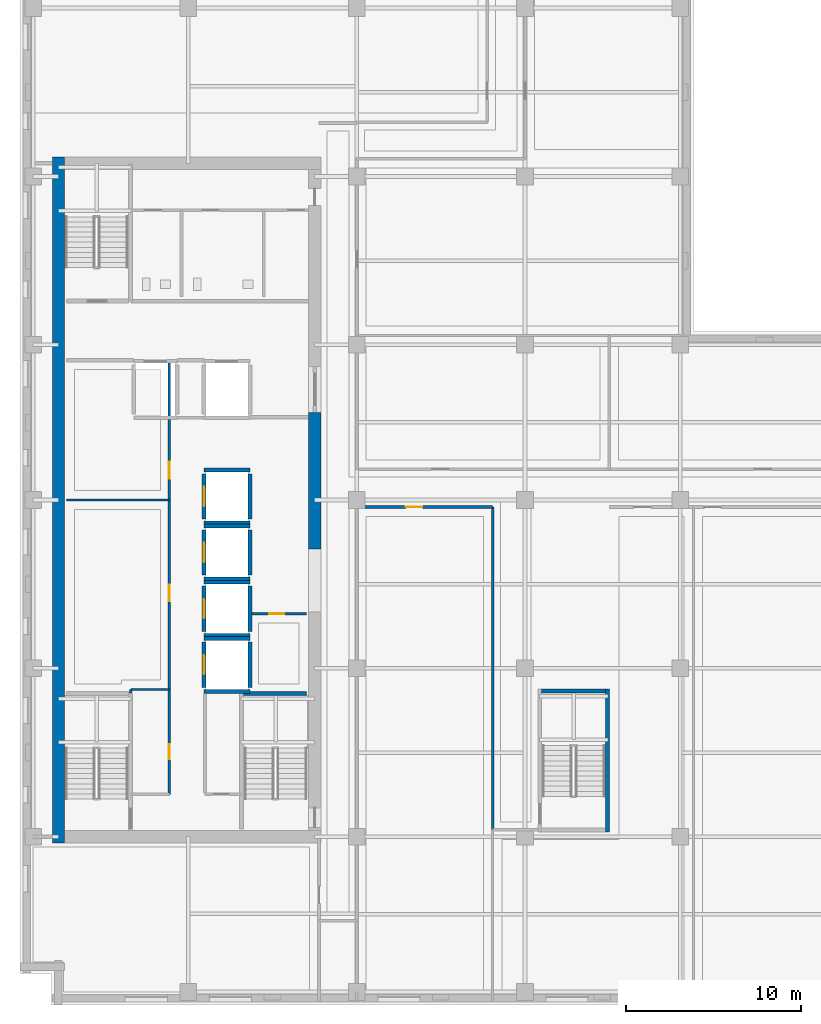
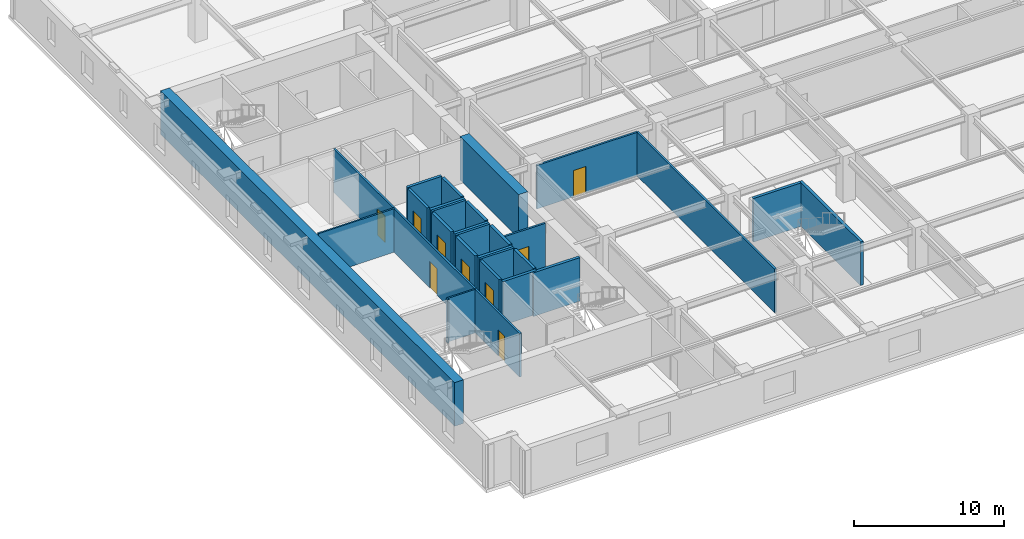
# One storey, part 4 of 12: 28 walls, 9 doors, 9 openings.
"""IFC4 building model written with IfcOpenShell, lengths in metres."""

import ifcopenshell
import ifcopenshell.guid

model = None  # the IFC model being written
_history = None  # IfcOwnerHistory: only IFC2X3 demands one
_inside = {}  # id of a spatial element -> (the spatial element, [elements in it])
_under = {}  # id of a project, library or spatial element -> (it, [spatial elements below it])
_declared = {}  # id of a project -> (the project, [libraries it declares])
_typed = {}  # id of a type object -> (the type object, [elements of that type])
_made_of = {}  # id of a material, layer set ... -> (it, [elements and type objects made of it])


def new_model(schema):
    """Start an empty IFC model of exactly this schema.

    Asked for "IFC4X3", IfcOpenShell would pick the latest addendum, in which some entities
    have other attributes; the version numbers below select the first issue.
    IFC2X3 requires an IfcOwnerHistory on every rooted entity: one is made here for all.
    """
    global model, _history
    if schema == "IFC4X3":
        model = ifcopenshell.file(schema_version=(4, 3, 0, 0))
    else:
        model = ifcopenshell.file(schema=schema)
    _inside.clear()
    _under.clear()
    _declared.clear()
    _typed.clear()
    _made_of.clear()
    _history = None
    if model.schema == "IFC2X3":
        org = make("IfcOrganization", Name="unknown")
        user = make(
            "IfcPersonAndOrganization",
            ThePerson=make("IfcPerson", FamilyName="unknown"),
            TheOrganization=org,
        )
        app = make(
            "IfcApplication",
            ApplicationDeveloper=org,
            Version="unknown",
            ApplicationFullName="unknown",
            ApplicationIdentifier="unknown",
        )
        _history = make(
            "IfcOwnerHistory",
            OwningUser=user,
            OwningApplication=app,
            ChangeAction="ADDED",
            CreationDate=0,
        )
    return model


def make(cls, **values):
    """One entity of the class cls with the attributes given. An attribute that is None is left unset."""
    return model.create_entity(
        cls, **{name: value for name, value in values.items() if value is not None}
    )


def rooted(cls, **values):
    """An entity with a GlobalId (a new one), such as an element, a storey or a relation."""
    return make(cls, GlobalId=ifcopenshell.guid.new(), OwnerHistory=_history, **values)


def si_unit(unit_type, name, prefix=None):
    """IfcSIUnit, for example si_unit("LENGTHUNIT", "METRE", prefix="MILLI")."""
    return make("IfcSIUnit", UnitType=unit_type, Prefix=prefix, Name=name)


def assignment(units):
    """IfcUnitAssignment: the units of a project."""
    return None if units is None else make("IfcUnitAssignment", Units=units)


def point(xyz):
    """IfcCartesianPoint."""
    return None if xyz is None else make("IfcCartesianPoint", Coordinates=xyz)


def direction(xyz):
    """IfcDirection."""
    return None if xyz is None else make("IfcDirection", DirectionRatios=xyz)


def frame(location, z_axis=None, x_axis=None):
    """IfcAxis2Placement3D, a coordinate frame: its origin and axes. An axis left out is left unset."""
    return make(
        "IfcAxis2Placement3D",
        Location=point(location),
        Axis=direction(z_axis),
        RefDirection=direction(x_axis),
    )


def frame_2d(location, x_axis=None):
    """IfcAxis2Placement2D, a coordinate frame in the plane: its origin and x axis."""
    return make(
        "IfcAxis2Placement2D", Location=point(location), RefDirection=direction(x_axis)
    )


def origin():
    """The frame at (0, 0, 0) with its axes left unset."""
    return frame((0.0, 0.0, 0.0))


def place(relative_to, where):
    """IfcLocalPlacement: puts the frame where relative to a parent placement (None: the world)."""
    return make(
        "IfcLocalPlacement", PlacementRelTo=relative_to, RelativePlacement=where
    )


def context(
    kind, dimensions, precision=None, world=None, true_north=None, identifier=None
):
    """IfcGeometricRepresentationContext, for example the 3D "Model" context."""
    return make(
        "IfcGeometricRepresentationContext",
        ContextIdentifier=identifier,
        ContextType=kind,
        CoordinateSpaceDimension=dimensions,
        Precision=precision,
        WorldCoordinateSystem=world,
        TrueNorth=true_north,
    )


def subcontext(parent, identifier, kind, view, scale=None):
    """IfcGeometricRepresentationSubContext, for example "Body" below "Model"."""
    return make(
        "IfcGeometricRepresentationSubContext",
        ContextIdentifier=identifier,
        ContextType=kind,
        ParentContext=parent,
        TargetScale=scale,
        TargetView=view,
    )


def project(units=None, contexts=None):
    """IfcProject with its units and contexts."""
    return rooted(
        "IfcProject",
        Name="project",
        RepresentationContexts=contexts,
        UnitsInContext=assignment(units),
    )


def spatial(cls, under=None, at=None, **own):
    """A site, building, storey or space (cls), placed at a placement, below another one or the project."""
    s = rooted(cls, ObjectPlacement=at, **own)
    if under is not None:
        _under.setdefault(under.id(), (under, []))[1].append(s)
    return s


def profile(cls, at=None, kind="AREA", **sizes):
    """A parametric profile (cls). Its sizes go by their IFC names, for example OverallWidth=200.0."""
    return make(cls, ProfileType=kind, Position=at, **sizes)


def rectangle(**sizes):
    """IfcRectangleProfileDef."""
    return profile("IfcRectangleProfileDef", **sizes)


def extrude(swept, where, along, depth):
    """IfcExtrudedAreaSolid: the profile swept, set in the frame where, extruded along a direction by depth."""
    return make(
        "IfcExtrudedAreaSolid",
        SweptArea=swept,
        Position=where,
        ExtrudedDirection=direction(along),
        Depth=depth,
    )


def shape(context_of_items, identifier, shape_type, items):
    """IfcShapeRepresentation: the items that make up one representation, for example the "Body"."""
    return make(
        "IfcShapeRepresentation",
        ContextOfItems=context_of_items,
        RepresentationIdentifier=identifier,
        RepresentationType=shape_type,
        Items=items,
    )


def material(Name=None, Category=None):
    """IfcMaterial."""
    return make("IfcMaterial", Name=Name, Category=Category)


def layer(
    of_material, thickness, ventilated=None, Name=None, Category=None, Priority=None
):
    """IfcMaterialLayer: one layer of a wall or slab, of a material (None: an air gap)."""
    return make(
        "IfcMaterialLayer",
        Material=of_material,
        LayerThickness=thickness,
        IsVentilated=ventilated,
        Name=Name,
        Category=Category,
        Priority=Priority,
    )


def layer_set(layers, Name=None):
    """IfcMaterialLayerSet."""
    return make("IfcMaterialLayerSet", MaterialLayers=layers, LayerSetName=Name)


def made_of(thing, what):
    """Note that an element or type object is made of a material, layer set ...; save() writes the relation."""
    if what is not None:
        _made_of.setdefault(what.id(), (what, []))[1].append(thing)
    return thing


def type_object(cls, material=None, **own):
    """A type object (cls), such as IfcWallType, which elements share."""
    return made_of(rooted(cls, **own), material)


def element(
    cls,
    number,
    at=None,
    inside=None,
    cuts=None,
    type_object=None,
    material=None,
    context=None,
    identifier="Body",
    shape_type=None,
    held_by="IfcProductDefinitionShape",
    body=None,
    shapes=None,
    **own,
):
    """One element of the class cls, such as IfcWall. Its Tag is "e" and its number.

    at: its placement. inside: the storey or other place that contains it. cuts: it is an
    opening in that element (IfcRelVoidsElement). A single representation is given by context,
    identifier, shape_type and body (its items); several are given by shapes. held_by: the class
    of the entity that holds the representations. save() writes the other relations.
    """
    e = rooted(cls, Tag="e%d" % number, ObjectPlacement=at, **own)
    if body is not None:
        shapes = [shape(context, identifier, shape_type, body)]
    if shapes is not None:
        e.Representation = make(held_by, Representations=shapes)
    if inside is not None:
        _inside.setdefault(inside.id(), (inside, []))[1].append(e)
    if cuts is not None:
        rooted(
            "IfcRelVoidsElement", RelatingBuildingElement=cuts, RelatedOpeningElement=e
        )
    if type_object is not None:
        _typed.setdefault(type_object.id(), (type_object, []))[1].append(e)
    return made_of(e, material)


def fill(opening, filler):
    """IfcRelFillsElement: the door or window that sits in an opening."""
    return rooted(
        "IfcRelFillsElement",
        RelatingOpeningElement=opening,
        RelatedBuildingElement=filler,
    )


def aggregate(whole, parts):
    """IfcRelAggregates: a whole, such as a stair, and the parts it consists of."""
    return rooted("IfcRelAggregates", RelatingObject=whole, RelatedObjects=parts)


def save(model, path):
    """Write the relations noted so far, then the file.

    IfcRelAggregates (storeys below a building ...), IfcRelContainedInSpatialStructure (elements
    in a storey), IfcRelDefinesByType, IfcRelAssociatesMaterial and IfcRelDeclares: one each for
    every whole, place, type object, material and project.
    """
    for whole, parts in _under.values():
        aggregate(whole, parts)
    for where, things in _inside.values():
        rooted(
            "IfcRelContainedInSpatialStructure",
            RelatedElements=things,
            RelatingStructure=where,
        )
    for kind, things in _typed.values():
        rooted("IfcRelDefinesByType", RelatedObjects=things, RelatingType=kind)
    for what, things in _made_of.values():
        rooted("IfcRelAssociatesMaterial", RelatedObjects=things, RelatingMaterial=what)
    for by, libraries in _declared.values():
        rooted("IfcRelDeclares", RelatingContext=by, RelatedDefinitions=libraries)
    model.write(path)


model = new_model("IFC4")

# Units and contexts
model_context = context("Model", 3, precision=1e-05, world=origin(), true_north=direction((0.0, 1.0)))
body_context = subcontext(model_context, "Body", "Model", "MODEL_VIEW")
ifc_project = project(units=[si_unit("LENGTHUNIT", "METRE"), si_unit("AREAUNIT", "SQUARE_METRE"), si_unit("VOLUMEUNIT", "CUBIC_METRE"), si_unit("PLANEANGLEUNIT", "RADIAN"), si_unit("MASSUNIT", "GRAM", prefix="KILO")], contexts=[model_context])

# Site, building, storey
site_placement = place(None, origin())
site = spatial("IfcSite", under=ifc_project, at=site_placement, CompositionType="ELEMENT")
building_placement = place(site_placement, origin())
building = spatial("IfcBuilding", under=site, at=building_placement, Name="Norrvale University Quadrangle", CompositionType="ELEMENT")
storey_placement = place(building_placement, frame((0.0, 0.0, 186.39990234375)))
storey = spatial("IfcBuildingStorey", under=building, at=storey_placement, Name="L47", CompositionType="ELEMENT", Elevation=186.39990234375)

# Walls
ifc_material_1 = material(Name="Concrete C60/75", Category="concrete")
ifc_layer_1 = layer(ifc_material_1, 0.699951171875, Name="Concrete C60/75")
ifc_layer_set_1 = layer_set([ifc_layer_1], Name="Concrete C60/75")
wall_type_1 = type_object("IfcWallType", Name="Wall Core 700", PredefinedType="SHEAR", material=ifc_layer_set_1)
wall_1_placement = place(storey_placement, frame((2.199951171875, 9.25, 0.0), z_axis=(0.0, 0.0, 1.0), x_axis=(0.0, 1.0, 0.0)))
element("IfcWall", 1, at=wall_1_placement, inside=storey, type_object=wall_type_1, Name="Tower Core Shear Wall L47-W", PredefinedType="SHEAR", context=body_context, shape_type="SweptSolid", body=[
    extrude(rectangle(XDim=39.10009765625, YDim=0.699951171875, at=frame_2d((19.550048828125, 0.0))), origin(), (0.0, 0.0, 1.0), 3.5400390625),
])
wall_2_placement = place(storey_placement, frame((16.800048828125, 26.0, 0.0), z_axis=(0.0, 0.0, 1.0), x_axis=(0.0, 1.0, 0.0)))
element("IfcWall", 2, at=wall_2_placement, inside=storey, type_object=wall_type_1, Name="Tower Core Shear Wall L47-E2", PredefinedType="SHEAR", context=body_context, shape_type="SweptSolid", body=[
    extrude(rectangle(XDim=7.800048828125, YDim=0.699951171875, at=frame_2d((3.89990234375, 0.0))), origin(), (0.0, 0.0, 1.0), 3.5400390625),
])
ifc_material_2 = material(Name="Standard Academic Gypsum Partition")
ifc_layer_2 = layer(ifc_material_2, 0.125, Name="Standard Academic Gypsum Partition")
ifc_layer_set_2 = layer_set([ifc_layer_2], Name="Standard Academic Gypsum Partition")
wall_type_2 = type_object("IfcWallType", Name="Wall Gypsum Academic 125", PredefinedType="PARTITIONING", material=ifc_layer_set_2)
wall_3_placement = place(storey_placement, frame((6.320068359375, 17.800048828125, 0.0), z_axis=(0.0, 0.0, 1.0), x_axis=(0.0, 1.0, 0.0)))
element("IfcWall", 3, at=wall_3_placement, inside=storey, type_object=wall_type_2, Name="Interior Partition WL-L47-REC-L1", PredefinedType="PARTITIONING", context=body_context, shape_type="SweptSolid", body=[
    extrude(rectangle(XDim=0.199951171875, YDim=0.125, at=frame_2d((0.10009765625, 0.0))), origin(), (0.0, 0.0, 1.0), 3.5400390625),
])
wall_4_placement = place(storey_placement, frame((6.320068359375, 18.0, 0.0), z_axis=(0.0, 0.0, 1.0), x_axis=(1.0, 0.0, 0.0)))
element("IfcWall", 4, at=wall_4_placement, inside=storey, type_object=wall_type_2, Name="Interior Partition WL-L47-REC-L2", PredefinedType="PARTITIONING", context=body_context, shape_type="SweptSolid", body=[
    extrude(rectangle(XDim=2.199951171875, YDim=0.125, at=frame_2d((1.10009765625, 0.0))), origin(), (0.0, 0.0, 1.0), 3.5400390625),
])
wall_5_placement = place(storey_placement, frame((2.64990234375, 28.800048828125, 0.0), z_axis=(0.0, 0.0, 1.0), x_axis=(1.0, 0.0, 0.0)))
element("IfcWall", 5, at=wall_5_placement, inside=storey, type_object=wall_type_2, Name="Interior Partition WL-L47-REC-M2", PredefinedType="PARTITIONING", context=body_context, shape_type="SweptSolid", body=[
    extrude(rectangle(XDim=5.8701171875, YDim=0.125, at=frame_2d((2.93505859375, 0.0))), origin(), (0.0, 0.0, 1.0), 3.5400390625),
])

# Wall, opening, door
ifc_material_3 = material(Name="Fire-Rated Gypsum Stud Partition")
ifc_layer_3 = layer(ifc_material_3, 0.14990234375, Name="Fire-Rated Gypsum Stud Partition")
ifc_layer_set_3 = layer_set([ifc_layer_3], Name="Fire-Rated Gypsum Stud Partition")
wall_type_3 = type_object("IfcWallType", Name="Wall Gypsum Corridor 150", PredefinedType="PARTITIONING", material=ifc_layer_set_3)
wall_6_placement = place(storey_placement, frame((13.22509765625, 22.320068359375, 0.0), z_axis=(0.0, 0.0, 1.0), x_axis=(1.0, 0.0, 0.0)))
wall_6 = element("IfcWall", 6, at=wall_6_placement, inside=storey, type_object=wall_type_3, Name="Interior Partition WL-L47-JAN-N", PredefinedType="PARTITIONING", context=body_context, shape_type="SweptSolid", body=[
    extrude(rectangle(XDim=3.119873046875, YDim=0.14990234375, at=frame_2d((1.56005859375, 0.0))), origin(), (0.0, 0.0, 1.0), 3.5400390625),
])
opening_1_placement = place(wall_6_placement, frame((1.0, 0.0, 0.0)))
opening_1 = element("IfcOpeningElement", 7, at=opening_1_placement, cuts=wall_6, Name="Opening D10", PredefinedType="OPENING", context=body_context, shape_type="SweptSolid", body=[
    extrude(rectangle(XDim=0.85009765625, YDim=2.10009765625, at=frame_2d((0.425048828125, 1.050048828125))), frame((0.0, 0.0869140625, 0.0), z_axis=(0.0, -1.0, 0.0), x_axis=(1.0, 0.0, 0.0)), (0.0, 0.0, 1.0), 0.173828125),
])
ifc_material_4 = material(Name="Hollow Steel 350W Riser Fire Door", Category="steel")
door_type_1 = type_object("IfcDoorType", Name="Door Riser 850x2100", OperationType="NOTDEFINED", PredefinedType="DOOR", material=ifc_material_4)
door_1_placement = place(opening_1_placement, origin())
door_1 = element("IfcDoor", 8, at=door_1_placement, inside=storey, type_object=door_type_1, Name="Door Riser 850x2100 DR-L47-JAN", OperationType="SINGLE_SWING_LEFT", OverallHeight=2.10009765625, OverallWidth=0.85009765625, PredefinedType="DOOR", context=body_context, shape_type="SweptSolid", body=[
    extrude(rectangle(XDim=0.85009765625, YDim=2.10009765625, at=frame_2d((0.425048828125, 1.050048828125))), frame((0.0, 0.02490234375, 0.0), z_axis=(0.0, -1.0, 0.0), x_axis=(1.0, 0.0, 0.0)), (0.0, 0.0, 1.0), 0.050048828125),
])
fill(opening_1, door_1)

# Wall, openings, doors
wall_7_placement = place(storey_placement, frame((8.52001953125, 12.02001953125, 0.0), z_axis=(0.0, 0.0, 1.0), x_axis=(0.0, 1.0, 0.0)))
wall_7 = element("IfcWall", 9, at=wall_7_placement, inside=storey, type_object=wall_type_3, Name="Interior Partition WL-L47-REC-E", PredefinedType="PARTITIONING", context=body_context, shape_type="SweptSolid", body=[
    extrude(rectangle(XDim=24.760009765625, YDim=0.14990234375, at=frame_2d((12.3798828125, 0.0))), origin(), (0.0, 0.0, 1.0), 3.5400390625),
])
opening_2_placement = place(wall_7_placement, frame((2.0, 0.0, 0.0)))
opening_2 = element("IfcOpeningElement", 10, at=opening_2_placement, cuts=wall_7, Name="Opening D10", PredefinedType="OPENING", context=body_context, shape_type="SweptSolid", body=[
    extrude(rectangle(XDim=0.85009765625, YDim=2.10009765625, at=frame_2d((0.425048828125, 1.050048828125))), frame((0.0, 0.0869140625, 0.0), z_axis=(0.0, -1.0, 0.0), x_axis=(1.0, 0.0, 0.0)), (0.0, 0.0, 1.0), 0.173828125),
])
opening_3_placement = place(wall_7_placement, frame((11.0, 0.0, 0.0)))
opening_3 = element("IfcOpeningElement", 11, at=opening_3_placement, cuts=wall_7, Name="Opening D07", PredefinedType="OPENING", context=body_context, shape_type="SweptSolid", body=[
    extrude(rectangle(XDim=0.949951171875, YDim=2.14990234375, at=frame_2d((0.47509765625, 1.074951171875))), frame((0.0, 0.0869140625, 0.0), z_axis=(0.0, -1.0, 0.0), x_axis=(1.0, 0.0, 0.0)), (0.0, 0.0, 1.0), 0.173828125),
])
opening_4_placement = place(wall_7_placement, frame((18.0, 0.0, 0.0)))
opening_4 = element("IfcOpeningElement", 12, at=opening_4_placement, cuts=wall_7, Name="Opening D07", PredefinedType="OPENING", context=body_context, shape_type="SweptSolid", body=[
    extrude(rectangle(XDim=0.949951171875, YDim=2.14990234375, at=frame_2d((0.47509765625, 1.074951171875))), frame((0.0, 0.0869140625, 0.0), z_axis=(0.0, -1.0, 0.0), x_axis=(1.0, 0.0, 0.0)), (0.0, 0.0, 1.0), 0.173828125),
])
ifc_material_5 = material(Name="Solid-Core Maple Door", Category="wood")
door_type_2 = type_object("IfcDoorType", Name="Door Office 950x2150", OperationType="NOTDEFINED", PredefinedType="DOOR", material=ifc_material_5)
door_2_placement = place(opening_3_placement, origin())
door_2 = element("IfcDoor", 13, at=door_2_placement, inside=storey, type_object=door_type_2, Name="Door Office 950x2150 DR-L47-REC2", OperationType="SINGLE_SWING_RIGHT", OverallHeight=2.14990234375, OverallWidth=0.949951171875, PredefinedType="DOOR", context=body_context, shape_type="SweptSolid", body=[
    extrude(rectangle(XDim=0.949951171875, YDim=2.14990234375, at=frame_2d((0.47509765625, 1.074951171875))), frame((0.0, 0.02490234375, 0.0), z_axis=(0.0, -1.0, 0.0), x_axis=(1.0, 0.0, 0.0)), (0.0, 0.0, 1.0), 0.050048828125),
])
fill(opening_3, door_2)
door_3_placement = place(opening_4_placement, origin())
door_3 = element("IfcDoor", 14, at=door_3_placement, inside=storey, type_object=door_type_2, Name="Door Office 950x2150 DR-L47-REC3", OperationType="SINGLE_SWING_LEFT", OverallHeight=2.14990234375, OverallWidth=0.949951171875, PredefinedType="DOOR", context=body_context, shape_type="SweptSolid", body=[
    extrude(rectangle(XDim=0.949951171875, YDim=2.14990234375, at=frame_2d((0.47509765625, 1.074951171875))), frame((0.0, 0.02490234375, 0.0), z_axis=(0.0, -1.0, 0.0), x_axis=(1.0, 0.0, 0.0)), (0.0, 0.0, 1.0), 0.050048828125),
])
fill(opening_4, door_3)
door_4_placement = place(opening_2_placement, origin())
door_4 = element("IfcDoor", 15, at=door_4_placement, inside=storey, type_object=door_type_1, Name="Door Riser 850x2100 DR-L47-REC1", OperationType="SINGLE_SWING_LEFT", OverallHeight=2.10009765625, OverallWidth=0.85009765625, PredefinedType="DOOR", context=body_context, shape_type="SweptSolid", body=[
    extrude(rectangle(XDim=0.85009765625, YDim=2.10009765625, at=frame_2d((0.425048828125, 1.050048828125))), frame((0.0, 0.02490234375, 0.0), z_axis=(0.0, -1.0, 0.0), x_axis=(1.0, 0.0, 0.0)), (0.0, 0.0, 1.0), 0.050048828125),
])
fill(opening_2, door_4)

# Wall, opening, door
wall_8_placement = place(storey_placement, frame((19.199951171875, 28.39990234375, 0.0), z_axis=(0.0, 0.0, 1.0), x_axis=(1.0, 0.0, 0.0)))
wall_8 = element("IfcWall", 16, at=wall_8_placement, inside=storey, type_object=wall_type_3, Name="Interior Partition WL-L47-SEW1", PredefinedType="PARTITIONING", context=body_context, shape_type="SweptSolid", body=[
    extrude(rectangle(XDim=7.75, YDim=0.14990234375, at=frame_2d((3.875, 0.0))), origin(), (0.0, 0.0, 1.0), 3.5400390625),
])
opening_5_placement = place(wall_8_placement, frame((2.800048828125, 0.0, 0.0)))
opening_5 = element("IfcOpeningElement", 17, at=opening_5_placement, cuts=wall_8, Name="Opening D07", PredefinedType="OPENING", context=body_context, shape_type="SweptSolid", body=[
    extrude(rectangle(XDim=0.949951171875, YDim=2.14990234375, at=frame_2d((0.47509765625, 1.074951171875))), frame((0.0, 0.0869140625, 0.0), z_axis=(0.0, -1.0, 0.0), x_axis=(1.0, 0.0, 0.0)), (0.0, 0.0, 1.0), 0.173828125),
])
door_5_placement = place(opening_5_placement, origin())
door_5 = element("IfcDoor", 18, at=door_5_placement, inside=storey, type_object=door_type_2, Name="Door Office 950x2150 DR-L47-SE1", OperationType="SINGLE_SWING_LEFT", OverallHeight=2.14990234375, OverallWidth=0.949951171875, PredefinedType="DOOR", context=body_context, shape_type="SweptSolid", body=[
    extrude(rectangle(XDim=0.949951171875, YDim=2.14990234375, at=frame_2d((0.47509765625, 1.074951171875))), frame((0.0, 0.02490234375, 0.0), z_axis=(0.0, -1.0, 0.0), x_axis=(1.0, 0.0, 0.0)), (0.0, 0.0, 1.0), 0.050048828125),
])
fill(opening_5, door_5)

# Walls
wall_9_placement = place(storey_placement, frame((26.949951171875, 10.0, 0.0), z_axis=(0.0, 0.0, 1.0), x_axis=(0.0, 1.0, 0.0)))
element("IfcWall", 19, at=wall_9_placement, inside=storey, type_object=wall_type_3, Name="Interior Partition WL-L47-SEP1B", PredefinedType="PARTITIONING", context=body_context, shape_type="SweptSolid", body=[
    extrude(rectangle(XDim=18.39990234375, YDim=0.14990234375, at=frame_2d((9.199951171875, 0.0))), origin(), (0.0, 0.0, 1.0), 3.5400390625),
])
ifc_material_6 = material(Name="Concrete Blockwork 20 MPa Fire Shaft", Category="masonry")
ifc_layer_4 = layer(ifc_material_6, 0.219970703125, Name="Concrete Blockwork 20 MPa Fire Shaft")
ifc_layer_set_4 = layer_set([ifc_layer_4], Name="Concrete Blockwork 20 MPa Fire Shaft")
wall_type_4 = type_object("IfcWallType", Name="Wall Shaft 220", PredefinedType="SOLIDWALL", material=ifc_layer_set_4)
wall_10_placement = place(storey_placement, frame((12.75, 17.760009765625, 0.0), z_axis=(0.0, 0.0, 1.0), x_axis=(1.0, 0.0, 0.0)))
element("IfcWall", 20, at=wall_10_placement, inside=storey, type_object=wall_type_4, Name="Stair ST-03 North Shaft Wall L47", PredefinedType="SOLIDWALL", context=body_context, shape_type="SweptSolid", body=[
    extrude(rectangle(XDim=3.60009765625, YDim=0.219970703125, at=frame_2d((1.800048828125, 0.0))), origin(), (0.0, 0.0, 1.0), 3.5400390625),
])
wall_11_placement = place(storey_placement, frame((33.510009765625, 9.8798828125, 0.0), z_axis=(0.0, 0.0, 1.0), x_axis=(0.0, 1.0, 0.0)))
element("IfcWall", 21, at=wall_11_placement, inside=storey, type_object=wall_type_4, Name="Stair ST-04 East Shaft Wall L47", PredefinedType="SOLIDWALL", context=body_context, shape_type="SweptSolid", body=[
    extrude(rectangle(XDim=8.14013671875, YDim=0.219970703125, at=frame_2d((4.070068359375, 0.0))), origin(), (0.0, 0.0, 1.0), 3.5400390625),
])
wall_12_placement = place(storey_placement, frame((29.75, 17.909912109375, 0.0), z_axis=(0.0, 0.0, 1.0), x_axis=(1.0, 0.0, 0.0)))
element("IfcWall", 22, at=wall_12_placement, inside=storey, type_object=wall_type_4, Name="Stair ST-04 North Shaft Wall L47", PredefinedType="SOLIDWALL", context=body_context, shape_type="SweptSolid", body=[
    extrude(rectangle(XDim=3.64990234375, YDim=0.219970703125, at=frame_2d((1.824951171875, 0.0))), origin(), (0.0, 0.0, 1.0), 3.5400390625),
])

# Wall, opening, door
wall_13_placement = place(storey_placement, frame((10.489990234375, 18.110107421875, 0.0), z_axis=(0.0, 0.0, 1.0), x_axis=(0.0, 1.0, 0.0)))
wall_13 = element("IfcWall", 23, at=wall_13_placement, inside=storey, type_object=wall_type_4, Name="Hoistway PL-05 West Wall L47", PredefinedType="SOLIDWALL", context=body_context, shape_type="SweptSolid", body=[
    extrude(rectangle(XDim=2.579833984375, YDim=0.219970703125, at=frame_2d((1.2900390625, 0.0))), origin(), (0.0, 0.0, 1.0), 3.5400390625),
])
opening_6_placement = place(wall_13_placement, frame((0.739990234375, 0.0, 0.0)))
opening_6 = element("IfcOpeningElement", 24, at=opening_6_placement, cuts=wall_13, Name="Opening LD1", PredefinedType="OPENING", context=body_context, shape_type="SweptSolid", body=[
    extrude(rectangle(XDim=1.10009765625, YDim=2.199951171875, at=frame_2d((0.550048828125, 1.10009765625))), frame((0.0, 0.1220703125, 0.0), z_axis=(0.0, -1.0, 0.0), x_axis=(1.0, 0.0, 0.0)), (0.0, 0.0, 1.0), 0.243896484375),
])
ifc_material_7 = material(Name="Stainless Steel 316L Lift Landing Door", Category="steel")
door_type_3 = type_object("IfcDoorType", Name="Door Lift Landing 1100x2200", OperationType="DOUBLE_DOOR_SLIDING", PredefinedType="DOOR", material=ifc_material_7)
door_6_placement = place(opening_6_placement, origin())
door_6 = element("IfcDoor", 25, at=door_6_placement, inside=storey, type_object=door_type_3, Name="Elevator Landing Door DR-L47-PL-05", OperationType="DOUBLE_DOOR_SLIDING", OverallHeight=2.199951171875, OverallWidth=1.10009765625, PredefinedType="DOOR", context=body_context, shape_type="SweptSolid", body=[
    extrude(rectangle(XDim=1.10009765625, YDim=2.199951171875, at=frame_2d((0.550048828125, 1.10009765625))), frame((0.0, 0.02490234375, 0.0), z_axis=(0.0, -1.0, 0.0), x_axis=(1.0, 0.0, 0.0)), (0.0, 0.0, 1.0), 0.050048828125),
])
fill(opening_6, door_6)

# Walls
wall_14_placement = place(storey_placement, frame((13.110107421875, 18.110107421875, 0.0), z_axis=(0.0, 0.0, 1.0), x_axis=(0.0, 1.0, 0.0)))
element("IfcWall", 26, at=wall_14_placement, inside=storey, type_object=wall_type_4, Name="Hoistway PL-05 East Wall L47", PredefinedType="SOLIDWALL", context=body_context, shape_type="SweptSolid", body=[
    extrude(rectangle(XDim=2.579833984375, YDim=0.219970703125, at=frame_2d((1.2900390625, 0.0))), origin(), (0.0, 0.0, 1.0), 3.5400390625),
])
for number, where, z_axis, x_axis, name in (
    (27, (10.489990234375, 17.889892578125, 0.0), (0.0, 0.0, 1.0), (1.0, 0.0, 0.0), "Hoistway PL-05 South Wall L47"),
    (28, (10.489990234375, 20.909912109375, 0.0), (0.0, 0.0, 1.0), (1.0, 0.0, 0.0), "Hoistway PL-05 North Wall L47"),
):
    element("IfcWall", number, at=place(storey_placement, frame(where, z_axis=z_axis, x_axis=x_axis)), inside=storey, type_object=wall_type_4, Name=name, PredefinedType="SOLIDWALL", context=body_context, shape_type="SweptSolid", body=[
        extrude(rectangle(XDim=2.6201171875, YDim=0.219970703125, at=frame_2d((1.31005859375, 0.0))), origin(), (0.0, 0.0, 1.0), 3.5400390625),
    ])

# Wall, opening, door
wall_15_placement = place(storey_placement, frame((10.489990234375, 21.31005859375, 0.0), z_axis=(0.0, 0.0, 1.0), x_axis=(0.0, 1.0, 0.0)))
wall_15 = element("IfcWall", 29, at=wall_15_placement, inside=storey, type_object=wall_type_4, Name="Hoistway PL-06 West Wall L47", PredefinedType="SOLIDWALL", context=body_context, shape_type="SweptSolid", body=[
    extrude(rectangle(XDim=2.579833984375, YDim=0.219970703125, at=frame_2d((1.2900390625, 0.0))), origin(), (0.0, 0.0, 1.0), 3.5400390625),
])
opening_7_placement = place(wall_15_placement, frame((0.739990234375, 0.0, 0.0)))
opening_7 = element("IfcOpeningElement", 30, at=opening_7_placement, cuts=wall_15, Name="Opening LD1", PredefinedType="OPENING", context=body_context, shape_type="SweptSolid", body=[
    extrude(rectangle(XDim=1.10009765625, YDim=2.199951171875, at=frame_2d((0.550048828125, 1.10009765625))), frame((0.0, 0.1220703125, 0.0), z_axis=(0.0, -1.0, 0.0), x_axis=(1.0, 0.0, 0.0)), (0.0, 0.0, 1.0), 0.243896484375),
])
door_7_placement = place(opening_7_placement, origin())
door_7 = element("IfcDoor", 31, at=door_7_placement, inside=storey, type_object=door_type_3, Name="Elevator Landing Door DR-L47-PL-06", OperationType="DOUBLE_DOOR_SLIDING", OverallHeight=2.199951171875, OverallWidth=1.10009765625, PredefinedType="DOOR", context=body_context, shape_type="SweptSolid", body=[
    extrude(rectangle(XDim=1.10009765625, YDim=2.199951171875, at=frame_2d((0.550048828125, 1.10009765625))), frame((0.0, 0.02490234375, 0.0), z_axis=(0.0, -1.0, 0.0), x_axis=(1.0, 0.0, 0.0)), (0.0, 0.0, 1.0), 0.050048828125),
])
fill(opening_7, door_7)

# Walls
wall_16_placement = place(storey_placement, frame((13.110107421875, 21.31005859375, 0.0), z_axis=(0.0, 0.0, 1.0), x_axis=(0.0, 1.0, 0.0)))
element("IfcWall", 32, at=wall_16_placement, inside=storey, type_object=wall_type_4, Name="Hoistway PL-06 East Wall L47", PredefinedType="SOLIDWALL", context=body_context, shape_type="SweptSolid", body=[
    extrude(rectangle(XDim=2.579833984375, YDim=0.219970703125, at=frame_2d((1.2900390625, 0.0))), origin(), (0.0, 0.0, 1.0), 3.5400390625),
])
for number, where, z_axis, x_axis, name in (
    (33, (10.489990234375, 21.090087890625, 0.0), (0.0, 0.0, 1.0), (1.0, 0.0, 0.0), "Hoistway PL-06 South Wall L47"),
    (34, (10.489990234375, 24.110107421875, 0.0), (0.0, 0.0, 1.0), (1.0, 0.0, 0.0), "Hoistway PL-06 North Wall L47"),
):
    element("IfcWall", number, at=place(storey_placement, frame(where, z_axis=z_axis, x_axis=x_axis)), inside=storey, type_object=wall_type_4, Name=name, PredefinedType="SOLIDWALL", context=body_context, shape_type="SweptSolid", body=[
        extrude(rectangle(XDim=2.6201171875, YDim=0.219970703125, at=frame_2d((1.31005859375, 0.0))), origin(), (0.0, 0.0, 1.0), 3.5400390625),
    ])

# Wall, opening, door
wall_17_placement = place(storey_placement, frame((10.489990234375, 24.510009765625, 0.0), z_axis=(0.0, 0.0, 1.0), x_axis=(0.0, 1.0, 0.0)))
wall_17 = element("IfcWall", 35, at=wall_17_placement, inside=storey, type_object=wall_type_4, Name="Hoistway PL-07 West Wall L47", PredefinedType="SOLIDWALL", context=body_context, shape_type="SweptSolid", body=[
    extrude(rectangle(XDim=2.580078125, YDim=0.219970703125, at=frame_2d((1.2900390625, 0.0))), origin(), (0.0, 0.0, 1.0), 3.5400390625),
])
opening_8_placement = place(wall_17_placement, frame((0.739990234375, 0.0, 0.0)))
opening_8 = element("IfcOpeningElement", 36, at=opening_8_placement, cuts=wall_17, Name="Opening LD1", PredefinedType="OPENING", context=body_context, shape_type="SweptSolid", body=[
    extrude(rectangle(XDim=1.10009765625, YDim=2.199951171875, at=frame_2d((0.550048828125, 1.10009765625))), frame((0.0, 0.1220703125, 0.0), z_axis=(0.0, -1.0, 0.0), x_axis=(1.0, 0.0, 0.0)), (0.0, 0.0, 1.0), 0.243896484375),
])
door_8_placement = place(opening_8_placement, origin())
door_8 = element("IfcDoor", 37, at=door_8_placement, inside=storey, type_object=door_type_3, Name="Elevator Landing Door DR-L47-PL-07", OperationType="DOUBLE_DOOR_SLIDING", OverallHeight=2.199951171875, OverallWidth=1.10009765625, PredefinedType="DOOR", context=body_context, shape_type="SweptSolid", body=[
    extrude(rectangle(XDim=1.10009765625, YDim=2.199951171875, at=frame_2d((0.550048828125, 1.10009765625))), frame((0.0, 0.02490234375, 0.0), z_axis=(0.0, -1.0, 0.0), x_axis=(1.0, 0.0, 0.0)), (0.0, 0.0, 1.0), 0.050048828125),
])
fill(opening_8, door_8)

# Walls
wall_18_placement = place(storey_placement, frame((13.110107421875, 24.510009765625, 0.0), z_axis=(0.0, 0.0, 1.0), x_axis=(0.0, 1.0, 0.0)))
element("IfcWall", 38, at=wall_18_placement, inside=storey, type_object=wall_type_4, Name="Hoistway PL-07 East Wall L47", PredefinedType="SOLIDWALL", context=body_context, shape_type="SweptSolid", body=[
    extrude(rectangle(XDim=2.580078125, YDim=0.219970703125, at=frame_2d((1.2900390625, 0.0))), origin(), (0.0, 0.0, 1.0), 3.5400390625),
])
for number, where, z_axis, x_axis, name in (
    (39, (10.489990234375, 24.2900390625, 0.0), (0.0, 0.0, 1.0), (1.0, 0.0, 0.0), "Hoistway PL-07 South Wall L47"),
    (40, (10.489990234375, 27.31005859375, 0.0), (0.0, 0.0, 1.0), (1.0, 0.0, 0.0), "Hoistway PL-07 North Wall L47"),
):
    element("IfcWall", number, at=place(storey_placement, frame(where, z_axis=z_axis, x_axis=x_axis)), inside=storey, type_object=wall_type_4, Name=name, PredefinedType="SOLIDWALL", context=body_context, shape_type="SweptSolid", body=[
        extrude(rectangle(XDim=2.6201171875, YDim=0.219970703125, at=frame_2d((1.31005859375, 0.0))), origin(), (0.0, 0.0, 1.0), 3.5400390625),
    ])

# Wall, opening, door
wall_19_placement = place(storey_placement, frame((10.489990234375, 27.7099609375, 0.0), z_axis=(0.0, 0.0, 1.0), x_axis=(0.0, 1.0, 0.0)))
wall_19 = element("IfcWall", 41, at=wall_19_placement, inside=storey, type_object=wall_type_4, Name="Hoistway PL-08 West Wall L47", PredefinedType="SOLIDWALL", context=body_context, shape_type="SweptSolid", body=[
    extrude(rectangle(XDim=2.580078125, YDim=0.219970703125, at=frame_2d((1.2900390625, 0.0))), origin(), (0.0, 0.0, 1.0), 3.5400390625),
])
opening_9_placement = place(wall_19_placement, frame((0.739990234375, 0.0, 0.0)))
opening_9 = element("IfcOpeningElement", 42, at=opening_9_placement, cuts=wall_19, Name="Opening LD1", PredefinedType="OPENING", context=body_context, shape_type="SweptSolid", body=[
    extrude(rectangle(XDim=1.10009765625, YDim=2.199951171875, at=frame_2d((0.550048828125, 1.10009765625))), frame((0.0, 0.1220703125, 0.0), z_axis=(0.0, -1.0, 0.0), x_axis=(1.0, 0.0, 0.0)), (0.0, 0.0, 1.0), 0.243896484375),
])
door_9_placement = place(opening_9_placement, origin())
door_9 = element("IfcDoor", 43, at=door_9_placement, inside=storey, type_object=door_type_3, Name="Elevator Landing Door DR-L47-PL-08", OperationType="DOUBLE_DOOR_SLIDING", OverallHeight=2.199951171875, OverallWidth=1.10009765625, PredefinedType="DOOR", context=body_context, shape_type="SweptSolid", body=[
    extrude(rectangle(XDim=1.10009765625, YDim=2.199951171875, at=frame_2d((0.550048828125, 1.10009765625))), frame((0.0, 0.02490234375, 0.0), z_axis=(0.0, -1.0, 0.0), x_axis=(1.0, 0.0, 0.0)), (0.0, 0.0, 1.0), 0.050048828125),
])
fill(opening_9, door_9)

# Walls
wall_20_placement = place(storey_placement, frame((13.110107421875, 27.7099609375, 0.0), z_axis=(0.0, 0.0, 1.0), x_axis=(0.0, 1.0, 0.0)))
element("IfcWall", 44, at=wall_20_placement, inside=storey, type_object=wall_type_4, Name="Hoistway PL-08 East Wall L47", PredefinedType="SOLIDWALL", context=body_context, shape_type="SweptSolid", body=[
    extrude(rectangle(XDim=2.580078125, YDim=0.219970703125, at=frame_2d((1.2900390625, 0.0))), origin(), (0.0, 0.0, 1.0), 3.5400390625),
])
for number, where, z_axis, x_axis, name in (
    (45, (10.489990234375, 27.489990234375, 0.0), (0.0, 0.0, 1.0), (1.0, 0.0, 0.0), "Hoistway PL-08 South Wall L47"),
    (46, (10.489990234375, 30.510009765625, 0.0), (0.0, 0.0, 1.0), (1.0, 0.0, 0.0), "Hoistway PL-08 North Wall L47"),
):
    element("IfcWall", number, at=place(storey_placement, frame(where, z_axis=z_axis, x_axis=x_axis)), inside=storey, type_object=wall_type_4, Name=name, PredefinedType="SOLIDWALL", context=body_context, shape_type="SweptSolid", body=[
        extrude(rectangle(XDim=2.6201171875, YDim=0.219970703125, at=frame_2d((1.31005859375, 0.0))), origin(), (0.0, 0.0, 1.0), 3.5400390625),
    ])

save(model, "model.ifc")
